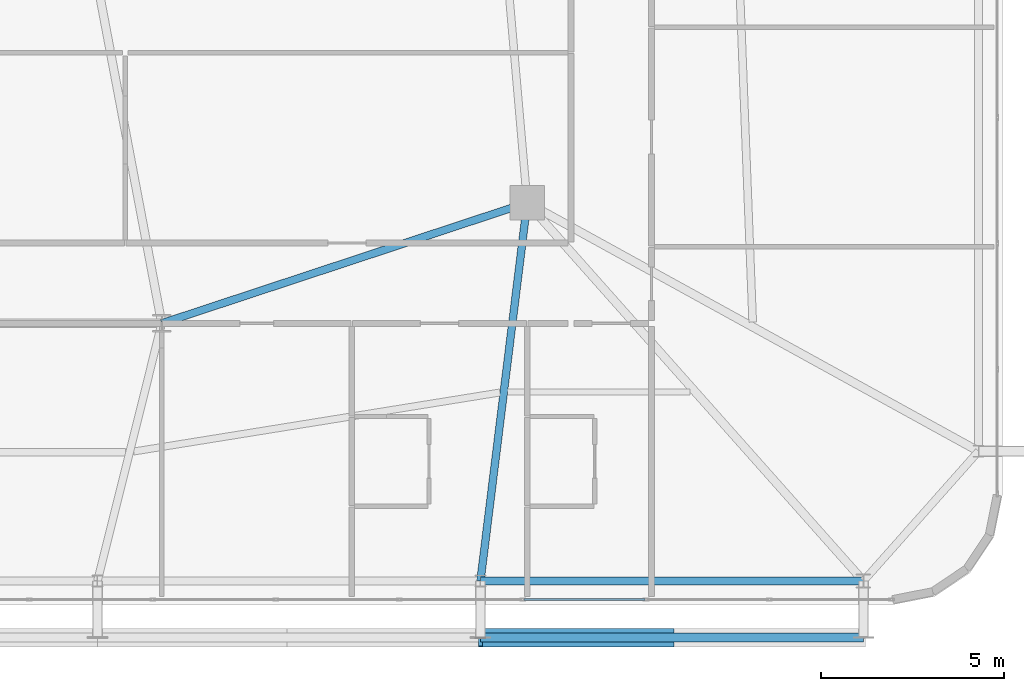
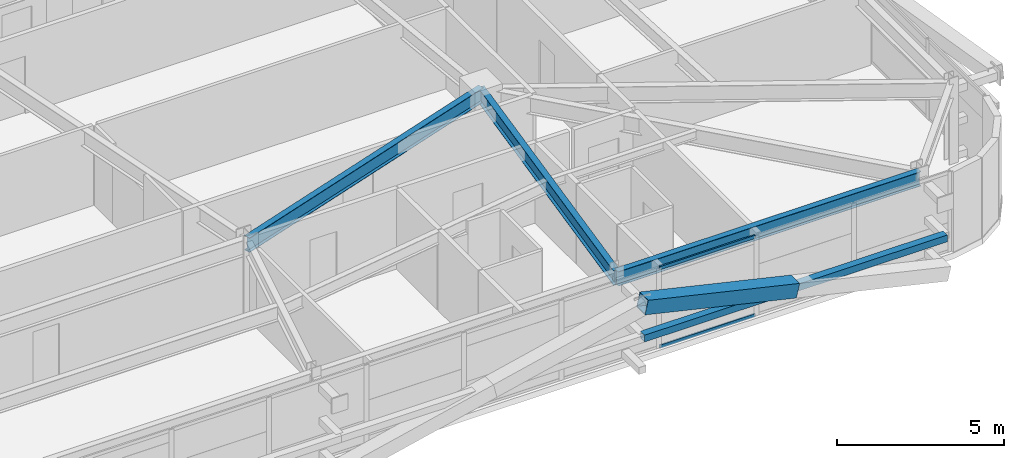
# One storey, part 22 of 59: 4 members, 3 beams, 1 element without a shape of its own.
"""IFC4 building model written with IfcOpenShell, lengths in metres."""

from ifc_helpers import new_model, si_unit, direction, frame, origin, origin_2d, place, context, subcontext, project, spatial, hollow_rectangle, i_section, extrude, source, transform, mapped, material, layer, layer_set, material_profile, profile_set, type_object, element, aggregate, save


model = new_model("IFC4")

# Units and contexts
model_context = context("Model", 3, precision=1e-05, world=origin(), true_north=direction((0.0, 1.0)))
body_context = subcontext(model_context, "Body", "Model", "MODEL_VIEW")
ifc_project = project(units=[si_unit("LENGTHUNIT", "METRE"), si_unit("AREAUNIT", "SQUARE_METRE"), si_unit("VOLUMEUNIT", "CUBIC_METRE"), si_unit("PLANEANGLEUNIT", "RADIAN"), si_unit("MASSUNIT", "GRAM", prefix="KILO")], contexts=[model_context])

# Site, building, storey
site_placement = place(None, origin())
site = spatial("IfcSite", under=ifc_project, at=site_placement, CompositionType="ELEMENT")
building_placement = place(site_placement, origin())
building = spatial("IfcBuilding", under=site, at=building_placement, Name="Taldren Reach Tower", CompositionType="ELEMENT")
storey_placement = place(building_placement, frame((0.0, 0.0, 26.25)))
storey = spatial("IfcBuildingStorey", under=building, at=storey_placement, Name="L07", CompositionType="ELEMENT", Elevation=26.25)

# Beams
ifc_material_1 = material(Name="Steel Gr 350 (350PLUS)", Category="steel")
ifc_material_profile_1 = material_profile(ifc_material_1, i_section(OverallWidth=0.208984375, OverallDepth=0.532958984375, WebThickness=0.01025390625, FlangeThickness=0.015625, at=origin_2d()), Name="530UB92.4")
ifc_profile_set_1 = profile_set([ifc_material_profile_1], Name="Steel Gr 350 (350PLUS)")
beam_type_1 = type_object("IfcBeamType", Name="BM-UB530A", PredefinedType="BEAM", material=ifc_profile_set_1)
shared_shape_1 = source(origin(), body_context, "Body", "SweptSolid", [
    extrude(i_section(OverallWidth=0.208984375, OverallDepth=0.532958984375, WebThickness=0.01025390625, FlangeThickness=0.015625, at=origin_2d()), origin(), (0.0, 0.0, 1.0), 10.530517578125),
])
beam_1_placement = place(storey_placement, frame((42.0, 9.199951171875, 2.66357421875), z_axis=(0.949627269203, 0.313381635689, 0.0), x_axis=(-0.313381635689, 0.949627269203, 0.0)))
element("IfcBeam", 1, at=beam_1_placement, inside=storey, type_object=beam_type_1, Name="Core-spine girder L07-SP12", PredefinedType="BEAM", context=body_context, shape_type="MappedRepresentation", body=[
    mapped(shared_shape_1, transform((0.0, 0.0, 0.0), scale=1.0)),
])
ifc_material_profile_2 = material_profile(ifc_material_1, i_section(OverallWidth=0.208984375, OverallDepth=0.528076171875, WebThickness=0.009521484375, FlangeThickness=0.01318359375, at=origin_2d()), Name="530UB82.0")
ifc_profile_set_2 = profile_set([ifc_material_profile_2], Name="Steel Gr 350 (350PLUS)")
beam_type_2 = type_object("IfcBeamType", Name="SP-UB530B", PredefinedType="SPANDREL", material=ifc_profile_set_2)
shared_shape_2 = source(origin(), body_context, "Body", "SweptSolid", [
    extrude(i_section(OverallWidth=0.208984375, OverallDepth=0.528076171875, WebThickness=0.009521484375, FlangeThickness=0.01318359375, at=origin_2d()), origin(), (0.0, 0.0, 1.0), 10.47998046875),
])
beam_2_placement = place(storey_placement, frame((50.719970703125, 2.14990234375, 2.666015625), z_axis=(1.0, 0.0, 0.0), x_axis=(0.0, 1.0, 0.0)))
element("IfcBeam", 2, at=beam_2_placement, inside=storey, type_object=beam_type_2, Name="Perimeter spandrel B1 S5-S6 L07", PredefinedType="SPANDREL", context=body_context, shape_type="MappedRepresentation", body=[
    mapped(shared_shape_2, transform((0.0, 0.0, 0.0), scale=1.0)),
])
shared_shape_3 = source(origin(), body_context, "Body", "SweptSolid", [
    extrude(i_section(OverallWidth=0.208984375, OverallDepth=0.532958984375, WebThickness=0.01025390625, FlangeThickness=0.015625, at=origin_2d()), origin(), (0.0, 0.0, 1.0), 10.428955078125),
])
beam_3_placement = place(storey_placement, frame((52.0, 12.5, 2.66357421875), z_axis=(-0.122738080664, -0.992439098159, 0.0), x_axis=(0.992439098159, -0.122738080664, 0.0)))
element("IfcBeam", 3, at=beam_3_placement, inside=storey, type_object=beam_type_1, Name="Primary floor girder B1-S5 L07", PredefinedType="BEAM", context=body_context, shape_type="MappedRepresentation", body=[
    mapped(shared_shape_3, transform((0.0, 0.0, 0.0), scale=1.0)),
])

# Members
ifc_material_2 = material(Name="Steel Gr 450 (C450L0)", Category="steel")
ifc_material_profile_3 = material_profile(ifc_material_2, hollow_rectangle(XDim=0.510009765625, YDim=0.510009765625, WallThickness=0.02001953125, at=origin_2d()), Name="510x510x20.0SHS")
ifc_profile_set_3 = profile_set([ifc_material_profile_3], Name="Steel Gr 450 (C450L0)")
member_type_1 = type_object("IfcMemberType", Name="MB-EXO508", PredefinedType="BRACE", material=ifc_profile_set_3)
shared_shape_4 = source(origin(), body_context, "Body", "SweptSolid", [
    extrude(hollow_rectangle(XDim=0.510009765625, YDim=0.510009765625, WallThickness=0.02001953125, at=origin_2d()), origin(), (0.0, 0.0, 1.0), 5.37890625),
])
member_1_placement = place(storey_placement, frame((55.9599609375, 0.60009765625, 1.43505859375), z_axis=(-0.974161966843, 0.0, 0.225850531007), x_axis=(0.0, -1.0, 0.0)))
element("IfcMember", 4, at=member_1_placement, inside=storey, type_object=member_type_1, Name="Exoskeleton Diagrid Brace B1-S5 L07", PredefinedType="BRACE", context=body_context, shape_type="MappedRepresentation", body=[
    mapped(shared_shape_4, transform((0.0, 0.0, 0.0), scale=1.0)),
])
ifc_material_3 = material(Name="Steel Gr 350 (C350L0)", Category="steel")
ifc_material_profile_4 = material_profile(ifc_material_3, hollow_rectangle(XDim=0.25, YDim=0.25, WallThickness=0.010009765625, at=origin_2d()), Name="250x250x10.0SHS")
ifc_profile_set_4 = profile_set([ifc_material_profile_4], Name="Steel Gr 350 (C350L0)")
member_type_2 = type_object("IfcMemberType", Name="MB-POST250", PredefinedType="POST", material=ifc_profile_set_4)
shared_shape_5 = source(origin(), body_context, "Body", "SweptSolid", [
    extrude(hollow_rectangle(XDim=0.25, YDim=0.25, WallThickness=0.010009765625, at=origin_2d()), origin(), (0.0, 0.0, 1.0), 10.47998046875),
])
member_2_placement = place(storey_placement, frame((50.719970703125, 0.60009765625, 1.43505859375), z_axis=(1.0, 0.0, 0.0), x_axis=(0.0, 1.0, 0.0)))
element("IfcMember", 5, at=member_2_placement, inside=storey, type_object=member_type_2, Name="Exoskeleton mid-height ring chord B1-S5 L07", PredefinedType="POST", context=body_context, shape_type="MappedRepresentation", body=[
    mapped(shared_shape_5, transform((0.0, 0.0, 0.0), scale=1.0)),
])

# Curtain wall, members
ifc_material_4 = material(Name="Aluminium and Low-E Glass Unitised System", Category="aluminium")
ifc_layer = layer(ifc_material_4, 0.159912109375)
ifc_layer_set = layer_set([ifc_layer], Name="Aluminium and Low-E Glass Unitised System")
curtain_wall_type = type_object("IfcCurtainWallType", Name="CW-SYS-2", PredefinedType="NOTDEFINED", material=ifc_layer_set)
curtain_wall_placement = place(storey_placement, origin())
curtain_wall = element("IfcCurtainWall", 6, at=curtain_wall_placement, inside=storey, type_object=curtain_wall_type, Name="Unitised curtain wall CW-L07-S", PredefinedType="NOTDEFINED")
ifc_material_5 = material(Name="Anodised Aluminium 6063-T6", Category="aluminium")
ifc_material_profile_5 = material_profile(ifc_material_5, hollow_rectangle(XDim=0.054931640625, YDim=0.1201171875, WallThickness=0.0029296875, at=origin_2d()), Name="ALU-120x55x3RHS")
ifc_profile_set_5 = profile_set([ifc_material_profile_5], Name="Anodised Aluminium 6063-T6")
member_type_3 = type_object("IfcMemberType", Name="CW-TRN-135", PredefinedType="USERDEFINED", material=ifc_profile_set_5)
shared_shape_6 = source(origin(), body_context, "Body", "SweptSolid", [
    extrude(hollow_rectangle(XDim=0.054931640625, YDim=0.1201171875, WallThickness=0.0029296875, at=origin_2d()), origin(), (0.0, 0.0, 1.0), 3.31005859375),
])
member_3_placement = place(storey_placement, frame((51.907470703125, 1.639892578125, 0.027587890625), z_axis=(1.0, 0.0, 0.0), x_axis=(0.0, 1.0, 0.0)))
member_3 = element("IfcMember", 7, at=member_3_placement, type_object=member_type_3, Name="CW-2 transom 14.1", ObjectType="TRANSOM", PredefinedType="USERDEFINED", context=body_context, shape_type="MappedRepresentation", body=[
    mapped(shared_shape_6, transform((0.0, 0.0, 0.0), scale=1.0)),
])
member_4_placement = place(storey_placement, frame((51.907470703125, 1.639892578125, 2.902587890625), z_axis=(1.0, 0.0, 0.0), x_axis=(0.0, 1.0, 0.0)))
member_4 = element("IfcMember", 8, at=member_4_placement, type_object=member_type_3, Name="CW-2 transom 14.2", ObjectType="TRANSOM", PredefinedType="USERDEFINED", context=body_context, shape_type="MappedRepresentation", body=[
    mapped(shared_shape_6, transform((0.0, 0.0, 0.0), scale=1.0)),
])
aggregate(curtain_wall, [member_3, member_4])

save(model, "model.ifc")
